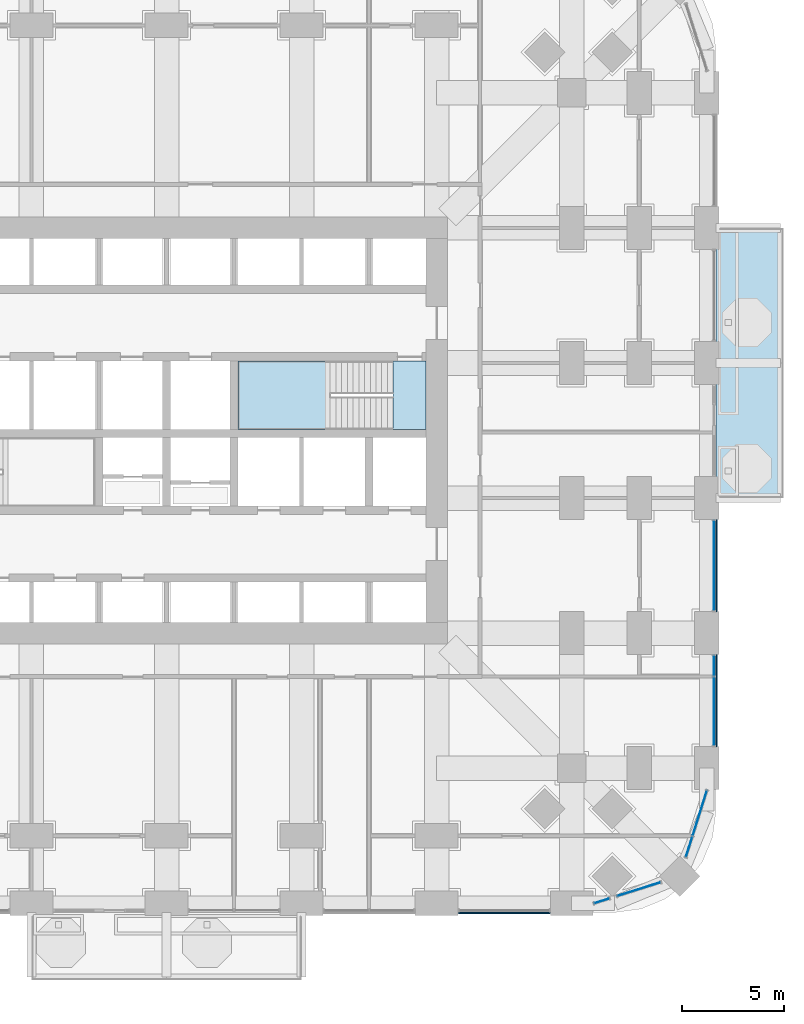
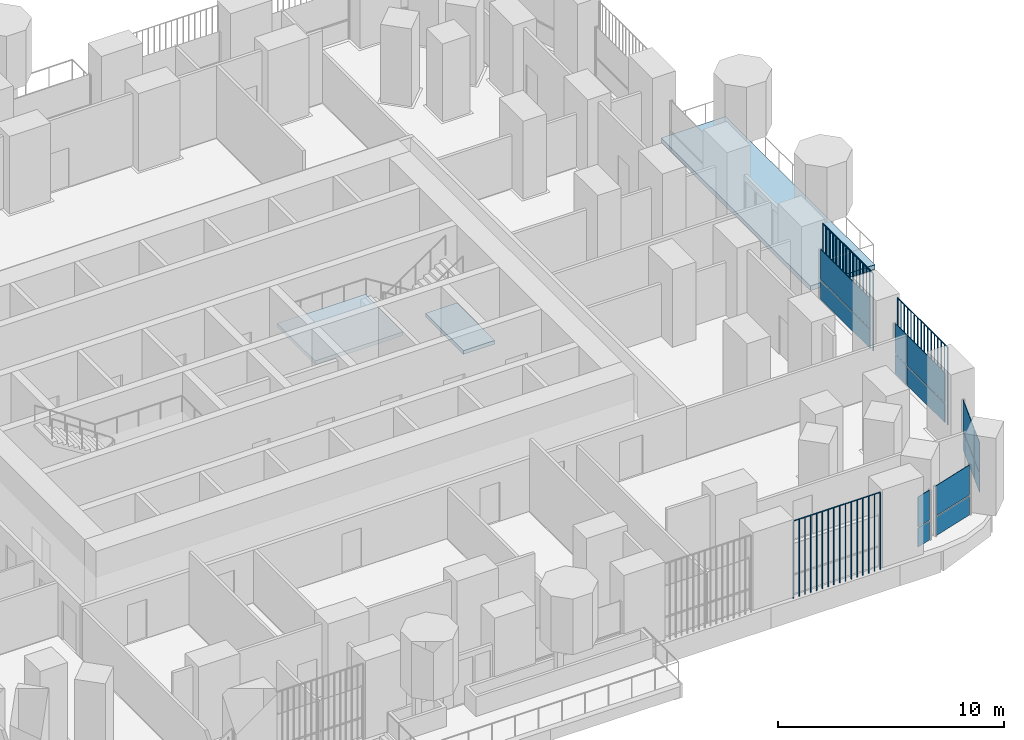
# One storey, part 13 of 26: 17 plates, 3 slabs, 6 elements without a shape of their own.
"""IFC4 building model written with IfcOpenShell, lengths in metres."""

from ifc_helpers import new_model, si_unit, direction, frame, origin, origin_2d, place, context, subcontext, project, spatial, polyline, rectangle, outline, extrude, material, layer, layer_set, type_object, element, aggregate, save


model = new_model("IFC4")

# Units and contexts
model_context = context("Model", 3, precision=1e-05, world=origin(), true_north=direction((0.0, 1.0)))
body_context = subcontext(model_context, "Body", "Model", "MODEL_VIEW")
ifc_project = project(units=[si_unit("LENGTHUNIT", "METRE"), si_unit("AREAUNIT", "SQUARE_METRE"), si_unit("VOLUMEUNIT", "CUBIC_METRE"), si_unit("PLANEANGLEUNIT", "RADIAN"), si_unit("MASSUNIT", "GRAM", prefix="KILO")], contexts=[model_context])

# Site, building, storey
site_placement = place(None, origin())
site = spatial("IfcSite", under=ifc_project, at=site_placement, CompositionType="ELEMENT")
building_placement = place(site_placement, origin())
building = spatial("IfcBuilding", under=site, at=building_placement, Name="Cobogo Forest Laboratory Tower", CompositionType="ELEMENT")
storey_placement = place(building_placement, frame((0.0, 0.0, 42.300048828125)))
storey = spatial("IfcBuildingStorey", under=building, at=storey_placement, Name="L09", CompositionType="ELEMENT", Elevation=42.300048828125)

# Slab
ifc_material_1 = material(Name="Concrete HA-40 (C40/50)", Category="concrete")
ifc_layer_1 = layer(ifc_material_1, 0.25)
ifc_layer_set_1 = layer_set([ifc_layer_1], Name="Balcony slab 250")
slab_type_1 = type_object("IfcSlabType", Name="Balcony slab 250", PredefinedType="FLOOR", material=ifc_layer_set_1)
slab_1_placement = place(storey_placement, frame((0.0, 0.0, -0.25)))
element("IfcSlab", 1, at=slab_1_placement, inside=storey, type_object=slab_type_1, Name="Balcony BAL-E1 L09", PredefinedType="FLOOR", context=body_context, shape_type="SweptSolid", body=[
    extrude(outline(polyline([(53.25, 19.800048828125), (56.550048828125, 19.800048828125), (56.550048828125, 33.0), (53.25, 33.0), (53.25, 19.800048828125)])), origin(), (0.0, 0.0, 1.0), 0.25),
])

# Curtain wall, plates
ifc_material_2 = material(Name="Aluminium curtain wall", Category="aluminium")
curtain_wall_type = type_object("IfcCurtainWallType", Name="CW-1 unitised curtain wall, clear glazing, laboratory floors zones A and B", PredefinedType="USERDEFINED", material=ifc_material_2)
curtain_wall_1_placement = place(storey_placement, origin())
curtain_wall_1 = element("IfcCurtainWall", 2, at=curtain_wall_1_placement, inside=storey, type_object=curtain_wall_type, Name="Curtain wall 07 L09", ObjectType="UNITISED CURTAIN WALL", PredefinedType="USERDEFINED")
ifc_material_3 = material(Name="Clear insulated glass", Category="glass")
ifc_layer_2 = layer(ifc_material_3, 0.028076171875)
ifc_layer_set_2 = layer_set([ifc_layer_2], Name="GP-1 clear insulated glass unit 28")
plate_type_1 = type_object("IfcPlateType", Name="GP-1 clear insulated glass unit 28", PredefinedType="CURTAIN_PANEL", material=ifc_layer_set_2)
plate_1_placement = place(storey_placement, frame((47.666015625, 0.113037109375, 0.0), z_axis=(0.0, 0.0, 1.0), x_axis=(0.953581504428, 0.301135043481, 0.0)))
plate_1 = element("IfcPlate", 3, at=plate_1_placement, type_object=plate_type_1, Name="CW-1 panel 1.1", PredefinedType="CURTAIN_PANEL", context=body_context, shape_type="SweptSolid", body=[
    extrude(rectangle(XDim=0.75244140625, YDim=0.028076171875, at=origin_2d()), origin(), (0.0, 0.0, 1.0), 1.02001953125),
])
plate_2_placement = place(storey_placement, frame((47.666015625, 0.113037109375, 1.079833984375), z_axis=(0.0, 0.0, 1.0), x_axis=(0.953581504428, 0.301135043481, 0.0)))
plate_2 = element("IfcPlate", 4, at=plate_2_placement, type_object=plate_type_1, Name="CW-1 panel 1.2", PredefinedType="CURTAIN_PANEL", context=body_context, shape_type="SweptSolid", body=[
    extrude(rectangle(XDim=0.75244140625, YDim=0.028076171875, at=origin_2d()), origin(), (0.0, 0.0, 1.0), 1.6201171875),
])
aggregate(curtain_wall_1, [plate_1, plate_2])

curtain_wall_2_placement = place(storey_placement, origin())
curtain_wall_2 = element("IfcCurtainWall", 5, at=curtain_wall_2_placement, inside=storey, type_object=curtain_wall_type, Name="Curtain wall 08 L09", ObjectType="UNITISED CURTAIN WALL", PredefinedType="USERDEFINED")
plate_3_placement = place(storey_placement, frame((49.482177734375, 0.6865234375, 0.0), z_axis=(0.0, 0.0, 1.0), x_axis=(0.953581409645, 0.301135343623, 0.0)))
plate_3 = element("IfcPlate", 6, at=plate_3_placement, type_object=plate_type_1, Name="CW-1 panel 1.1", PredefinedType="CURTAIN_PANEL", context=body_context, shape_type="SweptSolid", body=[
    extrude(rectangle(XDim=2.203369140625, YDim=0.028076171875, at=origin_2d()), origin(), (0.0, 0.0, 1.0), 1.02001953125),
])
plate_4_placement = place(storey_placement, frame((49.482177734375, 0.6865234375, 1.079833984375), z_axis=(0.0, 0.0, 1.0), x_axis=(0.953581409645, 0.301135343623, 0.0)))
plate_4 = element("IfcPlate", 7, at=plate_4_placement, type_object=plate_type_1, Name="CW-1 panel 1.2", PredefinedType="CURTAIN_PANEL", context=body_context, shape_type="SweptSolid", body=[
    extrude(rectangle(XDim=2.203369140625, YDim=0.028076171875, at=origin_2d()), origin(), (0.0, 0.0, 1.0), 1.6201171875),
])
aggregate(curtain_wall_2, [plate_3, plate_4])

curtain_wall_3_placement = place(storey_placement, origin())
curtain_wall_3 = element("IfcCurtainWall", 8, at=curtain_wall_3_placement, inside=storey, type_object=curtain_wall_type, Name="Curtain wall 09 L09", ObjectType="UNITISED CURTAIN WALL", PredefinedType="USERDEFINED")
plate_5_placement = place(storey_placement, frame((51.9365234375, 2.75732421875, 0.0), z_axis=(0.0, 0.0, 1.0), x_axis=(0.30113535792, 0.95358140513, 0.0)))
plate_5 = element("IfcPlate", 9, at=plate_5_placement, type_object=plate_type_1, Name="CW-1 panel 1.1", PredefinedType="CURTAIN_PANEL", context=body_context, shape_type="SweptSolid", body=[
    extrude(rectangle(XDim=1.027587890625, YDim=0.028076171875, at=origin_2d()), origin(), (0.0, 0.0, 1.0), 1.02001953125),
])
plate_6_placement = place(storey_placement, frame((51.9365234375, 2.75732421875, 1.079833984375), z_axis=(0.0, 0.0, 1.0), x_axis=(0.30113535792, 0.95358140513, 0.0)))
plate_6 = element("IfcPlate", 10, at=plate_6_placement, type_object=plate_type_1, Name="CW-1 panel 1.2", PredefinedType="CURTAIN_PANEL", context=body_context, shape_type="SweptSolid", body=[
    extrude(rectangle(XDim=1.027587890625, YDim=0.028076171875, at=origin_2d()), origin(), (0.0, 0.0, 1.0), 1.6201171875),
])
plate_7_placement = place(storey_placement, frame((52.454833984375, 4.398681640625, 0.0), z_axis=(0.0, 0.0, 1.0), x_axis=(0.30113535792, 0.95358140513, 0.0)))
plate_7 = element("IfcPlate", 11, at=plate_7_placement, type_object=plate_type_1, Name="CW-1 panel 2.1", PredefinedType="CURTAIN_PANEL", context=body_context, shape_type="SweptSolid", body=[
    extrude(rectangle(XDim=2.294677734375, YDim=0.028076171875, at=origin_2d()), origin(), (0.0, 0.0, 1.0), 1.02001953125),
])
plate_8_placement = place(storey_placement, frame((52.454833984375, 4.398681640625, 1.079833984375), z_axis=(0.0, 0.0, 1.0), x_axis=(0.30113535792, 0.95358140513, 0.0)))
plate_8 = element("IfcPlate", 12, at=plate_8_placement, type_object=plate_type_1, Name="CW-1 panel 2.2", PredefinedType="CURTAIN_PANEL", context=body_context, shape_type="SweptSolid", body=[
    extrude(rectangle(XDim=2.294677734375, YDim=0.028076171875, at=origin_2d()), origin(), (0.0, 0.0, 1.0), 1.6201171875),
])
aggregate(curtain_wall_3, [plate_5, plate_6, plate_7, plate_8])

curtain_wall_4_placement = place(storey_placement, origin())
curtain_wall_4 = element("IfcCurtainWall", 13, at=curtain_wall_4_placement, inside=storey, type_object=curtain_wall_type, Name="Curtain wall 10 L09", ObjectType="UNITISED CURTAIN WALL", PredefinedType="USERDEFINED")
plate_9_placement = place(storey_placement, frame((53.14990234375, 9.37744140625, 0.0), z_axis=(0.0, 0.0, 1.0), x_axis=(0.0, 1.0, 0.0)))
plate_9 = element("IfcPlate", 14, at=plate_9_placement, type_object=plate_type_1, Name="CW-1 panel 1.1", PredefinedType="CURTAIN_PANEL", context=body_context, shape_type="SweptSolid", body=[
    extrude(rectangle(XDim=3.3349609375, YDim=0.028076171875, at=origin_2d()), origin(), (0.0, 0.0, 1.0), 1.02001953125),
])
plate_10_placement = place(storey_placement, frame((53.14990234375, 9.37744140625, 1.079833984375), z_axis=(0.0, 0.0, 1.0), x_axis=(0.0, 1.0, 0.0)))
plate_10 = element("IfcPlate", 15, at=plate_10_placement, type_object=plate_type_1, Name="CW-1 panel 1.2", PredefinedType="CURTAIN_PANEL", context=body_context, shape_type="SweptSolid", body=[
    extrude(rectangle(XDim=3.3349609375, YDim=0.028076171875, at=origin_2d()), origin(), (0.0, 0.0, 1.0), 1.6201171875),
])
plate_11_placement = place(storey_placement, frame((53.14990234375, 11.597412109375, 0.0), z_axis=(0.0, 0.0, 1.0), x_axis=(0.0, 1.0, 0.0)))
plate_11 = element("IfcPlate", 16, at=plate_11_placement, type_object=plate_type_1, Name="CW-1 panel 2.1", PredefinedType="CURTAIN_PANEL", context=body_context, shape_type="SweptSolid", body=[
    extrude(rectangle(XDim=0.985107421875, YDim=0.028076171875, at=origin_2d()), origin(), (0.0, 0.0, 1.0), 1.02001953125),
])
plate_12_placement = place(storey_placement, frame((53.14990234375, 11.597412109375, 1.079833984375), z_axis=(0.0, 0.0, 1.0), x_axis=(0.0, 1.0, 0.0)))
plate_12 = element("IfcPlate", 17, at=plate_12_placement, type_object=plate_type_1, Name="CW-1 panel 2.2", PredefinedType="CURTAIN_PANEL", context=body_context, shape_type="SweptSolid", body=[
    extrude(rectangle(XDim=0.985107421875, YDim=0.028076171875, at=origin_2d()), origin(), (0.0, 0.0, 1.0), 1.6201171875),
])
aggregate(curtain_wall_4, [plate_9, plate_10, plate_11, plate_12])

curtain_wall_5_placement = place(storey_placement, origin())
curtain_wall_5 = element("IfcCurtainWall", 18, at=curtain_wall_5_placement, inside=storey, type_object=curtain_wall_type, Name="Curtain wall 11 L09", ObjectType="UNITISED CURTAIN WALL", PredefinedType="USERDEFINED")
plate_13_placement = place(storey_placement, frame((53.14990234375, 16.5, 0.0), z_axis=(0.0, 0.0, 1.0), x_axis=(0.0, 1.0, 0.0)))
plate_13 = element("IfcPlate", 19, at=plate_13_placement, type_object=plate_type_1, Name="CW-1 panel 1.1", PredefinedType="CURTAIN_PANEL", context=body_context, shape_type="SweptSolid", body=[
    extrude(rectangle(XDim=4.3798828125, YDim=0.028076171875, at=origin_2d()), origin(), (0.0, 0.0, 1.0), 1.02001953125),
])
plate_14_placement = place(storey_placement, frame((53.14990234375, 16.5, 1.079833984375), z_axis=(0.0, 0.0, 1.0), x_axis=(0.0, 1.0, 0.0)))
plate_14 = element("IfcPlate", 20, at=plate_14_placement, type_object=plate_type_1, Name="CW-1 panel 1.2", PredefinedType="CURTAIN_PANEL", context=body_context, shape_type="SweptSolid", body=[
    extrude(rectangle(XDim=4.3798828125, YDim=0.028076171875, at=origin_2d()), origin(), (0.0, 0.0, 1.0), 1.6201171875),
])
aggregate(curtain_wall_5, [plate_13, plate_14])

# Stair, slabs
ifc_material_4 = material(Name="Precast concrete HA-40 (C40/50)", Category="concrete")
stair_type = type_object("IfcStairType", Name="ST24 exit stair 24 risers", PredefinedType="HALF_TURN_STAIR", material=ifc_material_4)
stair_placement = place(storey_placement, origin())
stair = element("IfcStair", 21, at=stair_placement, inside=storey, type_object=stair_type, Name="Stair 2 L09 to L10", PredefinedType="HALF_TURN_STAIR")
ifc_layer_3 = layer(ifc_material_1, 0.199951171875)
ifc_layer_set_3 = layer_set([ifc_layer_3], Name="SL stair landing 200")
slab_type_2 = type_object("IfcSlabType", Name="SL stair landing 200", PredefinedType="LANDING", material=ifc_layer_set_3)
slab_2_placement = place(storey_placement, frame((0.0, 0.0, -0.199951171875)))
slab_2 = element("IfcSlab", 22, at=slab_2_placement, type_object=slab_type_2, Name="ST2 landing 1", PredefinedType="LANDING", context=body_context, shape_type="SweptSolid", body=[
    extrude(outline(polyline([(37.472900390625, 23.14990234375), (39.074951171875, 23.14990234375), (39.074951171875, 26.5), (37.472900390625, 26.5), (37.472900390625, 23.14990234375)])), origin(), (0.0, 0.0, 1.0), 0.199951171875),
])
slab_3_placement = place(storey_placement, frame((0.0, 0.0, 1.89990234375)))
slab_3 = element("IfcSlab", 23, at=slab_3_placement, type_object=slab_type_2, Name="ST2 landing 2", PredefinedType="LANDING", context=body_context, shape_type="SweptSolid", body=[
    extrude(outline(polyline([(29.89990234375, 23.14990234375), (34.39697265625, 23.14990234375), (34.39697265625, 26.5), (29.89990234375, 26.5), (29.89990234375, 23.14990234375)])), origin(), (0.0, 0.0, 1.0), 0.199951171875),
])
aggregate(stair, [slab_2, slab_3])

# Plates
ifc_material_5 = material(Name="Terracotta", Category="masonry")
plate_type_2 = type_object("IfcPlateType", Name="TB1 terracotta baguette screen", PredefinedType="USERDEFINED", material=ifc_material_5)
plate_15_placement = place(storey_placement, frame((40.68115234375, -0.477783203125, -0.150146484375)))
element("IfcPlate", 24, at=plate_15_placement, inside=storey, type_object=plate_type_2, Name="Baguette screen S6 L09", ObjectType="BAGUETTE SCREEN", PredefinedType="USERDEFINED", context=body_context, shape_type="SweptSolid", body=[
    extrude(outline(polyline([(0.02880859375, 0.011962890625), (0.011962890625, 0.02880859375), (-0.011962890625, 0.02880859375), (-0.02880859375, 0.011962890625), (-0.02880859375, -0.011962890625), (-0.011962890625, -0.02880859375), (0.011962890625, -0.02880859375), (0.02880859375, -0.011962890625), (0.02880859375, 0.011962890625)])), frame((0.0, 0.0, 4.168701171875), z_axis=(1.0, 0.0, 0.0), x_axis=(0.0, 1.0, 0.0)), (0.0, 0.0, 1.0), 4.4375),
    extrude(outline(polyline([(0.02880859375, 0.011962890625), (0.011962890625, 0.02880859375), (-0.011962890625, 0.02880859375), (-0.02880859375, 0.011962890625), (-0.02880859375, -0.011962890625), (-0.011962890625, -0.02880859375), (0.011962890625, -0.02880859375), (0.02880859375, -0.011962890625), (0.02880859375, 0.011962890625)])), origin(), (0.0, 0.0, 1.0), 4.137451171875),
    extrude(outline(polyline([(0.02880859375, 0.011962890625), (0.011962890625, 0.02880859375), (-0.011962890625, 0.02880859375), (-0.02880859375, 0.011962890625), (-0.02880859375, -0.011962890625), (-0.011962890625, -0.02880859375), (0.011962890625, -0.02880859375), (0.02880859375, -0.011962890625), (0.02880859375, 0.011962890625)])), frame((0.2958984375, 0.0, 0.0)), (0.0, 0.0, 1.0), 4.137451171875),
    extrude(outline(polyline([(0.02880859375, 0.011962890625), (0.011962890625, 0.02880859375), (-0.011962890625, 0.02880859375), (-0.02880859375, 0.011962890625), (-0.02880859375, -0.011962890625), (-0.011962890625, -0.02880859375), (0.011962890625, -0.02880859375), (0.02880859375, -0.011962890625), (0.02880859375, 0.011962890625)])), frame((0.591552734375, 0.0, 0.0)), (0.0, 0.0, 1.0), 4.137451171875),
    extrude(outline(polyline([(0.02880859375, 0.011962890625), (0.011962890625, 0.02880859375), (-0.011962890625, 0.02880859375), (-0.02880859375, 0.011962890625), (-0.02880859375, -0.011962890625), (-0.011962890625, -0.02880859375), (0.011962890625, -0.02880859375), (0.02880859375, -0.011962890625), (0.02880859375, 0.011962890625)])), frame((0.887451171875, 0.0, 0.0)), (0.0, 0.0, 1.0), 4.137451171875),
    extrude(outline(polyline([(0.02880859375, 0.011962890625), (0.011962890625, 0.02880859375), (-0.011962890625, 0.02880859375), (-0.02880859375, 0.011962890625), (-0.02880859375, -0.011962890625), (-0.011962890625, -0.02880859375), (0.011962890625, -0.02880859375), (0.02880859375, -0.011962890625), (0.02880859375, 0.011962890625)])), frame((1.183349609375, 0.0, 0.0)), (0.0, 0.0, 1.0), 4.137451171875),
    extrude(outline(polyline([(0.02880859375, 0.011962890625), (0.011962890625, 0.02880859375), (-0.011962890625, 0.02880859375), (-0.02880859375, 0.011962890625), (-0.02880859375, -0.011962890625), (-0.011962890625, -0.02880859375), (0.011962890625, -0.02880859375), (0.02880859375, -0.011962890625), (0.02880859375, 0.011962890625)])), frame((1.479248046875, 0.0, 0.0)), (0.0, 0.0, 1.0), 4.137451171875),
    extrude(outline(polyline([(0.02880859375, 0.011962890625), (0.011962890625, 0.02880859375), (-0.011962890625, 0.02880859375), (-0.02880859375, 0.011962890625), (-0.02880859375, -0.011962890625), (-0.011962890625, -0.02880859375), (0.011962890625, -0.02880859375), (0.02880859375, -0.011962890625), (0.02880859375, 0.011962890625)])), frame((1.77490234375, 0.0, 0.0)), (0.0, 0.0, 1.0), 4.137451171875),
    extrude(outline(polyline([(0.02880859375, 0.011962890625), (0.011962890625, 0.02880859375), (-0.011962890625, 0.02880859375), (-0.02880859375, 0.011962890625), (-0.02880859375, -0.011962890625), (-0.011962890625, -0.02880859375), (0.011962890625, -0.02880859375), (0.02880859375, -0.011962890625), (0.02880859375, 0.011962890625)])), frame((2.07080078125, 0.0, 0.0)), (0.0, 0.0, 1.0), 4.137451171875),
    extrude(outline(polyline([(0.02880859375, 0.011962890625), (0.011962890625, 0.02880859375), (-0.011962890625, 0.02880859375), (-0.02880859375, 0.011962890625), (-0.02880859375, -0.011962890625), (-0.011962890625, -0.02880859375), (0.011962890625, -0.02880859375), (0.02880859375, -0.011962890625), (0.02880859375, 0.011962890625)])), frame((2.36669921875, 0.0, 0.0)), (0.0, 0.0, 1.0), 4.137451171875),
    extrude(outline(polyline([(0.02880859375, 0.011962890625), (0.011962890625, 0.02880859375), (-0.011962890625, 0.02880859375), (-0.02880859375, 0.011962890625), (-0.02880859375, -0.011962890625), (-0.011962890625, -0.02880859375), (0.011962890625, -0.02880859375), (0.02880859375, -0.011962890625), (0.02880859375, 0.011962890625)])), frame((2.66259765625, 0.0, 0.0)), (0.0, 0.0, 1.0), 4.137451171875),
    extrude(outline(polyline([(0.02880859375, 0.011962890625), (0.011962890625, 0.02880859375), (-0.011962890625, 0.02880859375), (-0.02880859375, 0.011962890625), (-0.02880859375, -0.011962890625), (-0.011962890625, -0.02880859375), (0.011962890625, -0.02880859375), (0.02880859375, -0.011962890625), (0.02880859375, 0.011962890625)])), frame((2.958251953125, 0.0, 0.0)), (0.0, 0.0, 1.0), 4.137451171875),
    extrude(outline(polyline([(0.02880859375, 0.011962890625), (0.011962890625, 0.02880859375), (-0.011962890625, 0.02880859375), (-0.02880859375, 0.011962890625), (-0.02880859375, -0.011962890625), (-0.011962890625, -0.02880859375), (0.011962890625, -0.02880859375), (0.02880859375, -0.011962890625), (0.02880859375, 0.011962890625)])), frame((3.254150390625, 0.0, 0.0)), (0.0, 0.0, 1.0), 4.137451171875),
    extrude(outline(polyline([(0.02880859375, 0.011962890625), (0.011962890625, 0.02880859375), (-0.011962890625, 0.02880859375), (-0.02880859375, 0.011962890625), (-0.02880859375, -0.011962890625), (-0.011962890625, -0.02880859375), (0.011962890625, -0.02880859375), (0.02880859375, -0.011962890625), (0.02880859375, 0.011962890625)])), frame((3.550048828125, 0.0, 0.0)), (0.0, 0.0, 1.0), 4.137451171875),
    extrude(outline(polyline([(0.02880859375, 0.011962890625), (0.011962890625, 0.02880859375), (-0.011962890625, 0.02880859375), (-0.02880859375, 0.011962890625), (-0.02880859375, -0.011962890625), (-0.011962890625, -0.02880859375), (0.011962890625, -0.02880859375), (0.02880859375, -0.011962890625), (0.02880859375, 0.011962890625)])), frame((3.845947265625, 0.0, 0.0)), (0.0, 0.0, 1.0), 4.137451171875),
    extrude(outline(polyline([(0.02880859375, 0.011962890625), (0.011962890625, 0.02880859375), (-0.011962890625, 0.02880859375), (-0.02880859375, 0.011962890625), (-0.02880859375, -0.011962890625), (-0.011962890625, -0.02880859375), (0.011962890625, -0.02880859375), (0.02880859375, -0.011962890625), (0.02880859375, 0.011962890625)])), frame((4.1416015625, 0.0, 0.0)), (0.0, 0.0, 1.0), 4.137451171875),
    extrude(outline(polyline([(0.02880859375, 0.011962890625), (0.011962890625, 0.02880859375), (-0.011962890625, 0.02880859375), (-0.02880859375, 0.011962890625), (-0.02880859375, -0.011962890625), (-0.011962890625, -0.02880859375), (0.011962890625, -0.02880859375), (0.02880859375, -0.011962890625), (0.02880859375, 0.011962890625)])), frame((4.4375, 0.0, 0.0)), (0.0, 0.0, 1.0), 4.137451171875),
])
plate_16_placement = place(storey_placement, frame((53.27783203125, 7.68115234375, -0.150146484375)))
element("IfcPlate", 25, at=plate_16_placement, inside=storey, type_object=plate_type_2, Name="Baguette screen E1 L09", ObjectType="BAGUETTE SCREEN", PredefinedType="USERDEFINED", context=body_context, shape_type="SweptSolid", body=[
    extrude(outline(polyline([(0.02880859375, 0.011962890625), (0.011962890625, 0.02880859375), (-0.011962890625, 0.02880859375), (-0.02880859375, 0.011962890625), (-0.02880859375, -0.011962890625), (-0.011962890625, -0.02880859375), (0.011962890625, -0.02880859375), (0.02880859375, -0.011962890625), (0.02880859375, 0.011962890625)])), frame((0.0, 0.0, 4.168701171875), z_axis=(0.0, 1.0, 0.0), x_axis=(-1.0, 0.0, 0.0)), (0.0, 0.0, 1.0), 4.4375),
    extrude(outline(polyline([(0.02880859375, 0.011962890625), (0.011962890625, 0.02880859375), (-0.011962890625, 0.02880859375), (-0.02880859375, 0.011962890625), (-0.02880859375, -0.011962890625), (-0.011962890625, -0.02880859375), (0.011962890625, -0.02880859375), (0.02880859375, -0.011962890625), (0.02880859375, 0.011962890625)])), origin(), (0.0, 0.0, 1.0), 4.137451171875),
    extrude(outline(polyline([(0.02880859375, 0.011962890625), (0.011962890625, 0.02880859375), (-0.011962890625, 0.02880859375), (-0.02880859375, 0.011962890625), (-0.02880859375, -0.011962890625), (-0.011962890625, -0.02880859375), (0.011962890625, -0.02880859375), (0.02880859375, -0.011962890625), (0.02880859375, 0.011962890625)])), frame((0.0, 0.2958984375, 0.0)), (0.0, 0.0, 1.0), 4.137451171875),
    extrude(outline(polyline([(0.02880859375, 0.011962890625), (0.011962890625, 0.02880859375), (-0.011962890625, 0.02880859375), (-0.02880859375, 0.011962890625), (-0.02880859375, -0.011962890625), (-0.011962890625, -0.02880859375), (0.011962890625, -0.02880859375), (0.02880859375, -0.011962890625), (0.02880859375, 0.011962890625)])), frame((0.0, 0.591552734375, 0.0)), (0.0, 0.0, 1.0), 4.137451171875),
    extrude(outline(polyline([(0.02880859375, 0.011962890625), (0.011962890625, 0.02880859375), (-0.011962890625, 0.02880859375), (-0.02880859375, 0.011962890625), (-0.02880859375, -0.011962890625), (-0.011962890625, -0.02880859375), (0.011962890625, -0.02880859375), (0.02880859375, -0.011962890625), (0.02880859375, 0.011962890625)])), frame((0.0, 0.887451171875, 0.0)), (0.0, 0.0, 1.0), 4.137451171875),
    extrude(outline(polyline([(0.02880859375, 0.011962890625), (0.011962890625, 0.02880859375), (-0.011962890625, 0.02880859375), (-0.02880859375, 0.011962890625), (-0.02880859375, -0.011962890625), (-0.011962890625, -0.02880859375), (0.011962890625, -0.02880859375), (0.02880859375, -0.011962890625), (0.02880859375, 0.011962890625)])), frame((0.0, 1.183349609375, 0.0)), (0.0, 0.0, 1.0), 4.137451171875),
    extrude(outline(polyline([(0.02880859375, 0.011962890625), (0.011962890625, 0.02880859375), (-0.011962890625, 0.02880859375), (-0.02880859375, 0.011962890625), (-0.02880859375, -0.011962890625), (-0.011962890625, -0.02880859375), (0.011962890625, -0.02880859375), (0.02880859375, -0.011962890625), (0.02880859375, 0.011962890625)])), frame((0.0, 1.479248046875, 0.0)), (0.0, 0.0, 1.0), 4.137451171875),
    extrude(outline(polyline([(0.02880859375, 0.011962890625), (0.011962890625, 0.02880859375), (-0.011962890625, 0.02880859375), (-0.02880859375, 0.011962890625), (-0.02880859375, -0.011962890625), (-0.011962890625, -0.02880859375), (0.011962890625, -0.02880859375), (0.02880859375, -0.011962890625), (0.02880859375, 0.011962890625)])), frame((0.0, 1.77490234375, 0.0)), (0.0, 0.0, 1.0), 4.137451171875),
    extrude(outline(polyline([(0.02880859375, 0.011962890625), (0.011962890625, 0.02880859375), (-0.011962890625, 0.02880859375), (-0.02880859375, 0.011962890625), (-0.02880859375, -0.011962890625), (-0.011962890625, -0.02880859375), (0.011962890625, -0.02880859375), (0.02880859375, -0.011962890625), (0.02880859375, 0.011962890625)])), frame((0.0, 2.07080078125, 0.0)), (0.0, 0.0, 1.0), 4.137451171875),
    extrude(outline(polyline([(0.02880859375, 0.011962890625), (0.011962890625, 0.02880859375), (-0.011962890625, 0.02880859375), (-0.02880859375, 0.011962890625), (-0.02880859375, -0.011962890625), (-0.011962890625, -0.02880859375), (0.011962890625, -0.02880859375), (0.02880859375, -0.011962890625), (0.02880859375, 0.011962890625)])), frame((0.0, 2.36669921875, 0.0)), (0.0, 0.0, 1.0), 4.137451171875),
    extrude(outline(polyline([(0.02880859375, 0.011962890625), (0.011962890625, 0.02880859375), (-0.011962890625, 0.02880859375), (-0.02880859375, 0.011962890625), (-0.02880859375, -0.011962890625), (-0.011962890625, -0.02880859375), (0.011962890625, -0.02880859375), (0.02880859375, -0.011962890625), (0.02880859375, 0.011962890625)])), frame((0.0, 2.66259765625, 0.0)), (0.0, 0.0, 1.0), 4.137451171875),
    extrude(outline(polyline([(0.02880859375, 0.011962890625), (0.011962890625, 0.02880859375), (-0.011962890625, 0.02880859375), (-0.02880859375, 0.011962890625), (-0.02880859375, -0.011962890625), (-0.011962890625, -0.02880859375), (0.011962890625, -0.02880859375), (0.02880859375, -0.011962890625), (0.02880859375, 0.011962890625)])), frame((0.0, 2.958251953125, 0.0)), (0.0, 0.0, 1.0), 4.137451171875),
    extrude(outline(polyline([(0.02880859375, 0.011962890625), (0.011962890625, 0.02880859375), (-0.011962890625, 0.02880859375), (-0.02880859375, 0.011962890625), (-0.02880859375, -0.011962890625), (-0.011962890625, -0.02880859375), (0.011962890625, -0.02880859375), (0.02880859375, -0.011962890625), (0.02880859375, 0.011962890625)])), frame((0.0, 3.254150390625, 0.0)), (0.0, 0.0, 1.0), 4.137451171875),
    extrude(outline(polyline([(0.02880859375, 0.011962890625), (0.011962890625, 0.02880859375), (-0.011962890625, 0.02880859375), (-0.02880859375, 0.011962890625), (-0.02880859375, -0.011962890625), (-0.011962890625, -0.02880859375), (0.011962890625, -0.02880859375), (0.02880859375, -0.011962890625), (0.02880859375, 0.011962890625)])), frame((0.0, 3.550048828125, 0.0)), (0.0, 0.0, 1.0), 4.137451171875),
    extrude(outline(polyline([(0.02880859375, 0.011962890625), (0.011962890625, 0.02880859375), (-0.011962890625, 0.02880859375), (-0.02880859375, 0.011962890625), (-0.02880859375, -0.011962890625), (-0.011962890625, -0.02880859375), (0.011962890625, -0.02880859375), (0.02880859375, -0.011962890625), (0.02880859375, 0.011962890625)])), frame((0.0, 3.845947265625, 0.0)), (0.0, 0.0, 1.0), 4.137451171875),
    extrude(outline(polyline([(0.02880859375, 0.011962890625), (0.011962890625, 0.02880859375), (-0.011962890625, 0.02880859375), (-0.02880859375, 0.011962890625), (-0.02880859375, -0.011962890625), (-0.011962890625, -0.02880859375), (0.011962890625, -0.02880859375), (0.02880859375, -0.011962890625), (0.02880859375, 0.011962890625)])), frame((0.0, 4.1416015625, 0.0)), (0.0, 0.0, 1.0), 4.137451171875),
    extrude(outline(polyline([(0.02880859375, 0.011962890625), (0.011962890625, 0.02880859375), (-0.011962890625, 0.02880859375), (-0.02880859375, 0.011962890625), (-0.02880859375, -0.011962890625), (-0.011962890625, -0.02880859375), (0.011962890625, -0.02880859375), (0.02880859375, -0.011962890625), (0.02880859375, 0.011962890625)])), frame((0.0, 4.4375, 0.0)), (0.0, 0.0, 1.0), 4.137451171875),
])
plate_17_placement = place(storey_placement, frame((53.27783203125, 14.28125, -0.150146484375)))
element("IfcPlate", 26, at=plate_17_placement, inside=storey, type_object=plate_type_2, Name="Baguette screen E2 L09", ObjectType="BAGUETTE SCREEN", PredefinedType="USERDEFINED", context=body_context, shape_type="SweptSolid", body=[
    extrude(outline(polyline([(0.02880859375, 0.011962890625), (0.011962890625, 0.02880859375), (-0.011962890625, 0.02880859375), (-0.02880859375, 0.011962890625), (-0.02880859375, -0.011962890625), (-0.011962890625, -0.02880859375), (0.011962890625, -0.02880859375), (0.02880859375, -0.011962890625), (0.02880859375, 0.011962890625)])), frame((0.0, 0.0, 4.168701171875), z_axis=(0.0, 1.0, 0.0), x_axis=(-1.0, 0.0, 0.0)), (0.0, 0.0, 1.0), 4.4375),
    extrude(outline(polyline([(0.02880859375, 0.011962890625), (0.011962890625, 0.02880859375), (-0.011962890625, 0.02880859375), (-0.02880859375, 0.011962890625), (-0.02880859375, -0.011962890625), (-0.011962890625, -0.02880859375), (0.011962890625, -0.02880859375), (0.02880859375, -0.011962890625), (0.02880859375, 0.011962890625)])), origin(), (0.0, 0.0, 1.0), 4.137451171875),
    extrude(outline(polyline([(0.02880859375, 0.011962890625), (0.011962890625, 0.02880859375), (-0.011962890625, 0.02880859375), (-0.02880859375, 0.011962890625), (-0.02880859375, -0.011962890625), (-0.011962890625, -0.02880859375), (0.011962890625, -0.02880859375), (0.02880859375, -0.011962890625), (0.02880859375, 0.011962890625)])), frame((0.0, 0.2958984375, 0.0)), (0.0, 0.0, 1.0), 4.137451171875),
    extrude(outline(polyline([(0.02880859375, 0.011962890625), (0.011962890625, 0.02880859375), (-0.011962890625, 0.02880859375), (-0.02880859375, 0.011962890625), (-0.02880859375, -0.011962890625), (-0.011962890625, -0.02880859375), (0.011962890625, -0.02880859375), (0.02880859375, -0.011962890625), (0.02880859375, 0.011962890625)])), frame((0.0, 0.591552734375, 0.0)), (0.0, 0.0, 1.0), 4.137451171875),
    extrude(outline(polyline([(0.02880859375, 0.011962890625), (0.011962890625, 0.02880859375), (-0.011962890625, 0.02880859375), (-0.02880859375, 0.011962890625), (-0.02880859375, -0.011962890625), (-0.011962890625, -0.02880859375), (0.011962890625, -0.02880859375), (0.02880859375, -0.011962890625), (0.02880859375, 0.011962890625)])), frame((0.0, 0.887451171875, 0.0)), (0.0, 0.0, 1.0), 4.137451171875),
    extrude(outline(polyline([(0.02880859375, 0.011962890625), (0.011962890625, 0.02880859375), (-0.011962890625, 0.02880859375), (-0.02880859375, 0.011962890625), (-0.02880859375, -0.011962890625), (-0.011962890625, -0.02880859375), (0.011962890625, -0.02880859375), (0.02880859375, -0.011962890625), (0.02880859375, 0.011962890625)])), frame((0.0, 1.183349609375, 0.0)), (0.0, 0.0, 1.0), 4.137451171875),
    extrude(outline(polyline([(0.02880859375, 0.011962890625), (0.011962890625, 0.02880859375), (-0.011962890625, 0.02880859375), (-0.02880859375, 0.011962890625), (-0.02880859375, -0.011962890625), (-0.011962890625, -0.02880859375), (0.011962890625, -0.02880859375), (0.02880859375, -0.011962890625), (0.02880859375, 0.011962890625)])), frame((0.0, 1.479248046875, 0.0)), (0.0, 0.0, 1.0), 4.137451171875),
    extrude(outline(polyline([(0.02880859375, 0.011962890625), (0.011962890625, 0.02880859375), (-0.011962890625, 0.02880859375), (-0.02880859375, 0.011962890625), (-0.02880859375, -0.011962890625), (-0.011962890625, -0.02880859375), (0.011962890625, -0.02880859375), (0.02880859375, -0.011962890625), (0.02880859375, 0.011962890625)])), frame((0.0, 1.77490234375, 0.0)), (0.0, 0.0, 1.0), 4.137451171875),
    extrude(outline(polyline([(0.02880859375, 0.011962890625), (0.011962890625, 0.02880859375), (-0.011962890625, 0.02880859375), (-0.02880859375, 0.011962890625), (-0.02880859375, -0.011962890625), (-0.011962890625, -0.02880859375), (0.011962890625, -0.02880859375), (0.02880859375, -0.011962890625), (0.02880859375, 0.011962890625)])), frame((0.0, 2.07080078125, 0.0)), (0.0, 0.0, 1.0), 4.137451171875),
    extrude(outline(polyline([(0.02880859375, 0.011962890625), (0.011962890625, 0.02880859375), (-0.011962890625, 0.02880859375), (-0.02880859375, 0.011962890625), (-0.02880859375, -0.011962890625), (-0.011962890625, -0.02880859375), (0.011962890625, -0.02880859375), (0.02880859375, -0.011962890625), (0.02880859375, 0.011962890625)])), frame((0.0, 2.36669921875, 0.0)), (0.0, 0.0, 1.0), 4.137451171875),
    extrude(outline(polyline([(0.02880859375, 0.011962890625), (0.011962890625, 0.02880859375), (-0.011962890625, 0.02880859375), (-0.02880859375, 0.011962890625), (-0.02880859375, -0.011962890625), (-0.011962890625, -0.02880859375), (0.011962890625, -0.02880859375), (0.02880859375, -0.011962890625), (0.02880859375, 0.011962890625)])), frame((0.0, 2.66259765625, 0.0)), (0.0, 0.0, 1.0), 4.137451171875),
    extrude(outline(polyline([(0.02880859375, 0.011962890625), (0.011962890625, 0.02880859375), (-0.011962890625, 0.02880859375), (-0.02880859375, 0.011962890625), (-0.02880859375, -0.011962890625), (-0.011962890625, -0.02880859375), (0.011962890625, -0.02880859375), (0.02880859375, -0.011962890625), (0.02880859375, 0.011962890625)])), frame((0.0, 2.958251953125, 0.0)), (0.0, 0.0, 1.0), 4.137451171875),
    extrude(outline(polyline([(0.02880859375, 0.011962890625), (0.011962890625, 0.02880859375), (-0.011962890625, 0.02880859375), (-0.02880859375, 0.011962890625), (-0.02880859375, -0.011962890625), (-0.011962890625, -0.02880859375), (0.011962890625, -0.02880859375), (0.02880859375, -0.011962890625), (0.02880859375, 0.011962890625)])), frame((0.0, 3.254150390625, 0.0)), (0.0, 0.0, 1.0), 4.137451171875),
    extrude(outline(polyline([(0.02880859375, 0.011962890625), (0.011962890625, 0.02880859375), (-0.011962890625, 0.02880859375), (-0.02880859375, 0.011962890625), (-0.02880859375, -0.011962890625), (-0.011962890625, -0.02880859375), (0.011962890625, -0.02880859375), (0.02880859375, -0.011962890625), (0.02880859375, 0.011962890625)])), frame((0.0, 3.550048828125, 0.0)), (0.0, 0.0, 1.0), 4.137451171875),
    extrude(outline(polyline([(0.02880859375, 0.011962890625), (0.011962890625, 0.02880859375), (-0.011962890625, 0.02880859375), (-0.02880859375, 0.011962890625), (-0.02880859375, -0.011962890625), (-0.011962890625, -0.02880859375), (0.011962890625, -0.02880859375), (0.02880859375, -0.011962890625), (0.02880859375, 0.011962890625)])), frame((0.0, 3.845947265625, 0.0)), (0.0, 0.0, 1.0), 4.137451171875),
    extrude(outline(polyline([(0.02880859375, 0.011962890625), (0.011962890625, 0.02880859375), (-0.011962890625, 0.02880859375), (-0.02880859375, 0.011962890625), (-0.02880859375, -0.011962890625), (-0.011962890625, -0.02880859375), (0.011962890625, -0.02880859375), (0.02880859375, -0.011962890625), (0.02880859375, 0.011962890625)])), frame((0.0, 4.1416015625, 0.0)), (0.0, 0.0, 1.0), 4.137451171875),
    extrude(outline(polyline([(0.02880859375, 0.011962890625), (0.011962890625, 0.02880859375), (-0.011962890625, 0.02880859375), (-0.02880859375, 0.011962890625), (-0.02880859375, -0.011962890625), (-0.011962890625, -0.02880859375), (0.011962890625, -0.02880859375), (0.02880859375, -0.011962890625), (0.02880859375, 0.011962890625)])), frame((0.0, 4.4375, 0.0)), (0.0, 0.0, 1.0), 4.137451171875),
])

save(model, "model.ifc")
